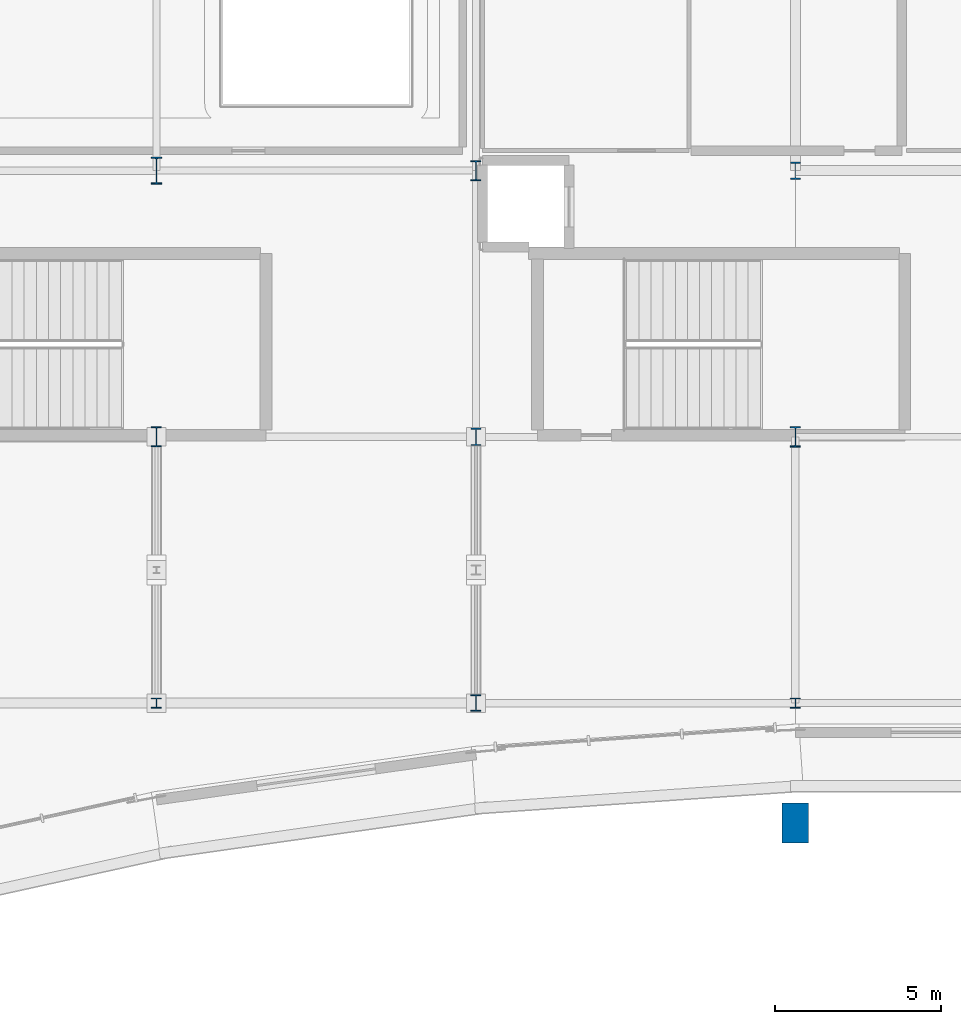
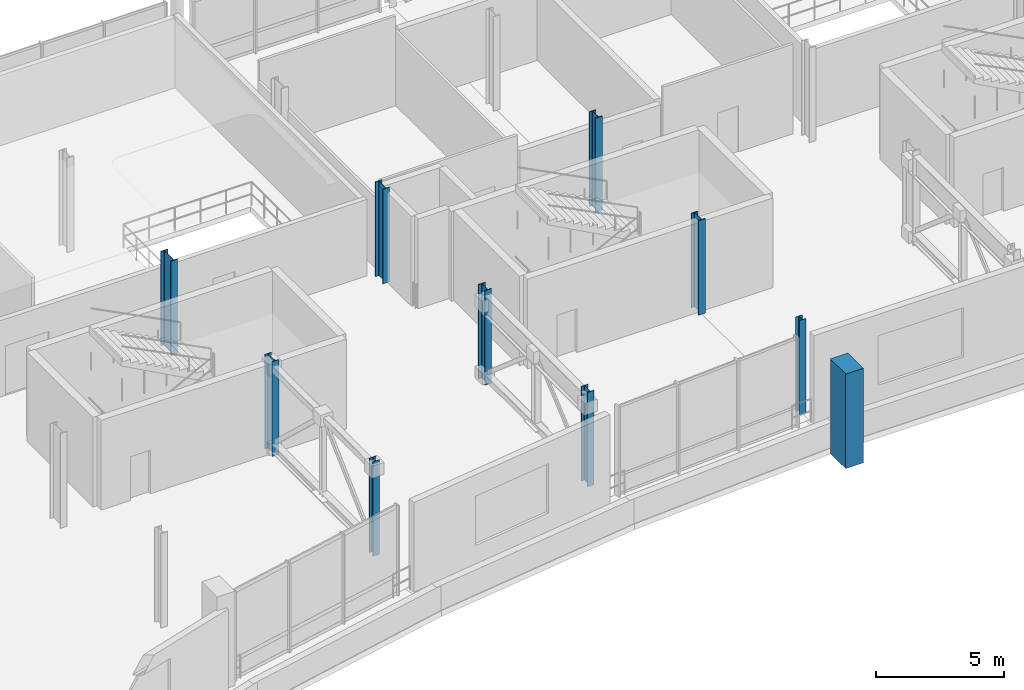
# One storey, part 2 of 193: 10 columns.
"""IFC4 building model written with IfcOpenShell, lengths in metres."""

from ifc_helpers import new_model, si_unit, direction, frame, origin, origin_2d, place, context, subcontext, project, spatial, rectangle, i_section, extrude, material, material_profile, profile_set, type_object, element, save


model = new_model("IFC4")

# Units and contexts
model_context = context("Model", 3, precision=1e-05, world=origin(), true_north=direction((0.0, 1.0)))
body_context = subcontext(model_context, "Body", "Model", "MODEL_VIEW")
ifc_project = project(units=[si_unit("LENGTHUNIT", "METRE"), si_unit("AREAUNIT", "SQUARE_METRE"), si_unit("VOLUMEUNIT", "CUBIC_METRE"), si_unit("PLANEANGLEUNIT", "RADIAN"), si_unit("MASSUNIT", "GRAM", prefix="KILO")], contexts=[model_context])

# Site, building, storey
site_placement = place(None, origin())
site = spatial("IfcSite", under=ifc_project, at=site_placement, CompositionType="ELEMENT")
building_placement = place(site_placement, origin())
building = spatial("IfcBuilding", under=site, at=building_placement, Name="Danafjord Basin Convention Centre", CompositionType="ELEMENT")
storey_placement = place(building_placement, frame((0.0, 0.0, 11.39990234375)))
storey = spatial("IfcBuildingStorey", under=building, at=storey_placement, Name="L02", CompositionType="ELEMENT", Elevation=11.39990234375)

# Columns
ifc_material_1 = material(Name="Steel S355", Category="steel")
ifc_material_profile_1 = material_profile(ifc_material_1, i_section(OverallWidth=0.300048828125, OverallDepth=0.300048828125, WebThickness=0.010986328125, FlangeThickness=0.01904296875, FilletRadius=0.027099609375, at=origin_2d()), Name="HEB 300")
ifc_profile_set_1 = profile_set([ifc_material_profile_1], Name="Steel S355")
column_type_1 = type_object("IfcColumnType", Name="COL-C-HEB300", PredefinedType="COLUMN", material=ifc_profile_set_1)
for number, where, z_axis, x_axis, name in (
    (1, (38.39990234375, 8.0, 0.0), (0.0, 0.0, 1.0), (1.0, 0.0, 0.0), "L02 column C-HEB300 at (38.4, 8.0)"),
    (2, (57.60009765625, 8.0, 0.0), (0.0, 0.0, 1.0), (1.0, 0.0, 0.0), "L02 column C-HEB300 at (57.6, 8.0)"),
):
    element("IfcColumn", number, at=place(storey_placement, frame(where, z_axis=z_axis, x_axis=x_axis)), inside=storey, type_object=column_type_1, Name=name, PredefinedType="COLUMN", context=body_context, shape_type="SweptSolid", body=[
        extrude(i_section(OverallWidth=0.300048828125, OverallDepth=0.300048828125, WebThickness=0.010986328125, FlangeThickness=0.01904296875, FilletRadius=0.027099609375, at=origin_2d()), origin(), (0.0, 0.0, 1.0), 4.5),
    ])
ifc_material_profile_2 = material_profile(ifc_material_1, i_section(OverallWidth=0.300048828125, OverallDepth=0.5, WebThickness=0.014404296875, FlangeThickness=0.028076171875, FilletRadius=0.027099609375, at=origin_2d()), Name="HEB 500")
ifc_profile_set_2 = profile_set([ifc_material_profile_2], Name="Steel S355")
column_type_2 = type_object("IfcColumnType", Name="COL-C-HEB500", PredefinedType="COLUMN", material=ifc_profile_set_2)
column_1_placement = place(storey_placement, frame((48.0, 8.0, 0.0), z_axis=(0.0, 0.0, 1.0), x_axis=(1.0, 0.0, 0.0)))
element("IfcColumn", 3, at=column_1_placement, inside=storey, type_object=column_type_2, Name="L02 column C-HEB500 at (48.0, 8.0)", PredefinedType="COLUMN", context=body_context, shape_type="SweptSolid", body=[
    extrude(i_section(OverallWidth=0.300048828125, OverallDepth=0.5, WebThickness=0.014404296875, FlangeThickness=0.028076171875, FilletRadius=0.027099609375, at=origin_2d()), origin(), (0.0, 0.0, 1.0), 4.5),
])
ifc_material_profile_3 = material_profile(ifc_material_1, i_section(OverallWidth=0.300048828125, OverallDepth=0.60009765625, WebThickness=0.015380859375, FlangeThickness=0.030029296875, FilletRadius=0.027099609375, at=origin_2d()), Name="HEB 600")
ifc_profile_set_3 = profile_set([ifc_material_profile_3], Name="Steel S355")
column_type_3 = type_object("IfcColumnType", Name="COL-C-HEB600", PredefinedType="COLUMN", material=ifc_profile_set_3)
for number, where, z_axis, x_axis, name in (
    (4, (38.39990234375, 16.0, 0.0), (0.0, 0.0, 1.0), (1.0, 0.0, 0.0), "L02 column C-HEB600 at (38.4, 16.0)"),
    (5, (48.0, 24.0, 0.0), (0.0, 0.0, 1.0), (1.0, 0.0, 0.0), "L02 column C-HEB600 at (48.0, 24.0)"),
):
    element("IfcColumn", number, at=place(storey_placement, frame(where, z_axis=z_axis, x_axis=x_axis)), inside=storey, type_object=column_type_3, Name=name, PredefinedType="COLUMN", context=body_context, shape_type="SweptSolid", body=[
        extrude(i_section(OverallWidth=0.300048828125, OverallDepth=0.60009765625, WebThickness=0.015380859375, FlangeThickness=0.030029296875, FilletRadius=0.027099609375, at=origin_2d()), origin(), (0.0, 0.0, 1.0), 4.5),
    ])
ifc_material_profile_4 = material_profile(ifc_material_1, i_section(OverallWidth=0.305908203125, OverallDepth=0.52392578125, WebThickness=0.02099609375, FlangeThickness=0.0400390625, FilletRadius=0.027099609375, at=origin_2d()), Name="HEM 500")
ifc_profile_set_4 = profile_set([ifc_material_profile_4], Name="Steel S355")
column_type_4 = type_object("IfcColumnType", Name="COL-C-HEM500", PredefinedType="COLUMN", material=ifc_profile_set_4)
for number, where, z_axis, x_axis, name in (
    (6, (48.0, 16.0, 0.0), (0.0, 0.0, 1.0), (1.0, 0.0, 0.0), "L02 column C-HEM500 at (48.0, 16.0)"),
    (7, (57.60009765625, 24.0, 0.0), (0.0, 0.0, 1.0), (1.0, 0.0, 0.0), "L02 column C-HEM500 at (57.6, 24.0)"),
):
    element("IfcColumn", number, at=place(storey_placement, frame(where, z_axis=z_axis, x_axis=x_axis)), inside=storey, type_object=column_type_4, Name=name, PredefinedType="COLUMN", context=body_context, shape_type="SweptSolid", body=[
        extrude(i_section(OverallWidth=0.305908203125, OverallDepth=0.52392578125, WebThickness=0.02099609375, FlangeThickness=0.0400390625, FilletRadius=0.027099609375, at=origin_2d()), origin(), (0.0, 0.0, 1.0), 4.5),
    ])
ifc_material_profile_5 = material_profile(ifc_material_1, i_section(OverallWidth=0.304931640625, OverallDepth=0.6201171875, WebThickness=0.02099609375, FlangeThickness=0.0400390625, FilletRadius=0.027099609375, at=origin_2d()), Name="HEM 600")
ifc_profile_set_5 = profile_set([ifc_material_profile_5], Name="Steel S355")
column_type_5 = type_object("IfcColumnType", Name="COL-C-HEM600", PredefinedType="COLUMN", material=ifc_profile_set_5)
column_2_placement = place(storey_placement, frame((57.60009765625, 16.0, 0.0), z_axis=(0.0, 0.0, 1.0), x_axis=(1.0, 0.0, 0.0)))
element("IfcColumn", 8, at=column_2_placement, inside=storey, type_object=column_type_5, Name="L02 column C-HEM600 at (57.6, 16.0)", PredefinedType="COLUMN", context=body_context, shape_type="SweptSolid", body=[
    extrude(i_section(OverallWidth=0.304931640625, OverallDepth=0.6201171875, WebThickness=0.02099609375, FlangeThickness=0.0400390625, FilletRadius=0.027099609375, at=origin_2d()), origin(), (0.0, 0.0, 1.0), 4.5),
])
ifc_material_profile_6 = material_profile(ifc_material_1, i_section(OverallWidth=0.302978515625, OverallDepth=0.81396484375, WebThickness=0.02099609375, FlangeThickness=0.0400390625, FilletRadius=0.030029296875, at=origin_2d()), Name="HEM 800")
ifc_profile_set_6 = profile_set([ifc_material_profile_6], Name="Steel S355")
column_type_6 = type_object("IfcColumnType", Name="COL-C-HEM800", PredefinedType="COLUMN", material=ifc_profile_set_6)
column_3_placement = place(storey_placement, frame((38.39990234375, 24.0, 0.0), z_axis=(0.0, 0.0, 1.0), x_axis=(1.0, 0.0, 0.0)))
element("IfcColumn", 9, at=column_3_placement, inside=storey, type_object=column_type_6, Name="L02 column C-HEM800 at (38.4, 24.0)", PredefinedType="COLUMN", context=body_context, shape_type="SweptSolid", body=[
    extrude(i_section(OverallWidth=0.302978515625, OverallDepth=0.81396484375, WebThickness=0.02099609375, FlangeThickness=0.0400390625, FilletRadius=0.030029296875, at=origin_2d()), origin(), (0.0, 0.0, 1.0), 4.5),
])
ifc_material_2 = material(Name="Precast concrete C45/55", Category="concrete")
ifc_material_profile_7 = material_profile(ifc_material_2, rectangle(XDim=0.800048828125, YDim=1.199951171875, at=origin_2d()), Name="RC 1200x800")
ifc_profile_set_7 = profile_set([ifc_material_profile_7], Name="Precast concrete C45/55")
column_type_7 = type_object("IfcColumnType", Name="COL-C-PIL1200", PredefinedType="PILASTER", material=ifc_profile_set_7)
column_4_placement = place(storey_placement, frame((57.60009765625, 4.39990234375, 0.0), z_axis=(0.0, 0.0, 1.0), x_axis=(1.0, 0.0, 0.0)))
element("IfcColumn", 10, at=column_4_placement, inside=storey, type_object=column_type_7, Name="L02 column C-PIL1200 at (57.6, 4.4)", PredefinedType="PILASTER", context=body_context, shape_type="SweptSolid", body=[
    extrude(rectangle(XDim=0.800048828125, YDim=1.199951171875, at=origin_2d()), origin(), (0.0, 0.0, 1.0), 4.5),
])

save(model, "model.ifc")
